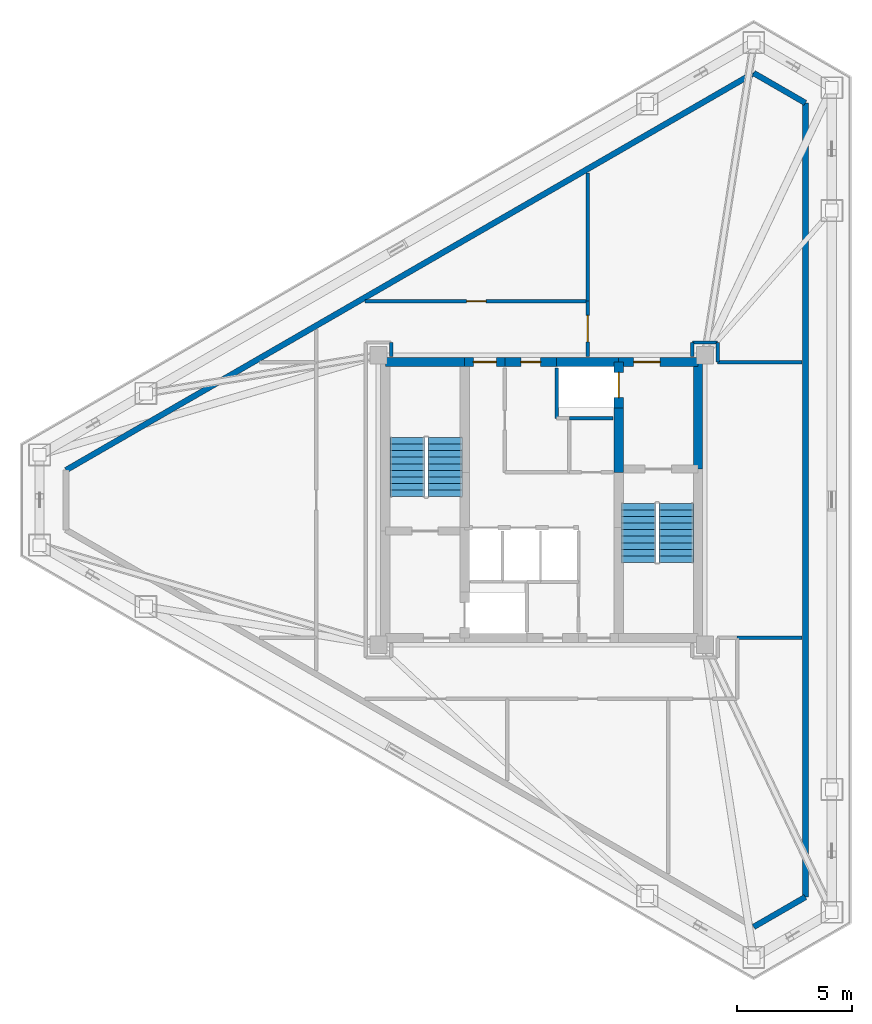
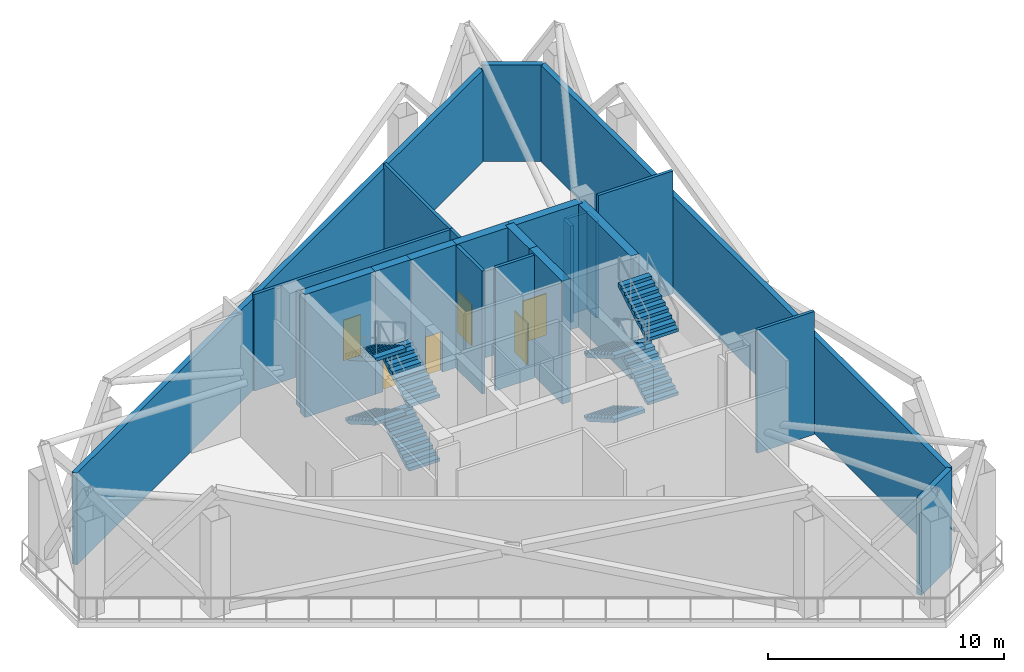
# One storey, part 4 of 6: 23 walls, 8 stair flights, 6 doors, 6 openings, 2 elements without a shape of their own.
"""IFC4 building model written with IfcOpenShell, lengths in metres."""

from ifc_helpers import new_model, si_unit, direction, frame, frame_2d, origin, place, context, subcontext, project, spatial, polyline, rectangle, outline, extrude, material, layer, layer_set, type_object, element, fill, aggregate, save


model = new_model("IFC4")

# Units and contexts
model_context = context("Model", 3, precision=1e-05, world=origin(), true_north=direction((0.0, 1.0)))
body_context = subcontext(model_context, "Body", "Model", "MODEL_VIEW")
ifc_project = project(units=[si_unit("LENGTHUNIT", "METRE"), si_unit("AREAUNIT", "SQUARE_METRE"), si_unit("VOLUMEUNIT", "CUBIC_METRE"), si_unit("PLANEANGLEUNIT", "RADIAN"), si_unit("MASSUNIT", "GRAM", prefix="KILO")], contexts=[model_context])

# Site, building, storey
site_placement = place(None, origin())
site = spatial("IfcSite", under=ifc_project, at=site_placement, CompositionType="ELEMENT")
building_placement = place(site_placement, origin())
building = spatial("IfcBuilding", under=site, at=building_placement, Name="Mersakhor Tower and Convention Hall", CompositionType="ELEMENT")
storey_placement = place(building_placement, frame((0.0, 0.0, 160.800048828125)))
storey = spatial("IfcBuildingStorey", under=building, at=storey_placement, Name="L45", CompositionType="ELEMENT", Elevation=160.800048828125)

# Walls
ifc_material_1 = material(Name="Precast concrete C40/50", Category="concrete")
ifc_layer_1 = layer(ifc_material_1, 0.25)
ifc_layer_set_1 = layer_set([ifc_layer_1], Name="Precast concrete C40/50")
wall_type_1 = type_object("IfcWallType", Name="WL-EXT-250", PredefinedType="SOLIDWALL", material=ifc_layer_set_1)
wall_1_placement = place(storey_placement, frame((8.310302734375, 28.04833984375, 0.0), z_axis=(0.0, 0.0, 1.0), x_axis=(0.866026432802, 0.499998217685, 0.0)))
element("IfcWall", 1, at=wall_1_placement, inside=storey, type_object=wall_type_1, Name="L45 Set-Back Refuge and Plant Enclosure Wall 1", PredefinedType="SOLIDWALL", context=body_context, shape_type="SweptSolid", body=[
    extrude(rectangle(XDim=34.537353515625, YDim=0.25, at=frame_2d((17.2685546875, 0.0))), origin(), (0.0, 0.0, 1.0), 4.7548828125),
])
wall_2_placement = place(storey_placement, frame((38.220458984375, 45.31689453125, 0.0), z_axis=(0.0, 0.0, 1.0), x_axis=(0.866024317969, -0.500001880682, 0.0)))
element("IfcWall", 2, at=wall_2_placement, inside=storey, type_object=wall_type_1, Name="L45 Set-Back Refuge and Plant Enclosure Wall 2", PredefinedType="SOLIDWALL", context=body_context, shape_type="SweptSolid", body=[
    extrude(rectangle(XDim=2.5966796875, YDim=0.25, at=frame_2d((1.29833984375, 0.0))), origin(), (0.0, 0.0, 1.0), 5.0048828125),
])
wall_3_placement = place(storey_placement, frame((40.46923828125, 44.0185546875, 0.0), z_axis=(0.0, 0.0, 1.0), x_axis=(0.0, -1.0, 0.0)))
element("IfcWall", 3, at=wall_3_placement, inside=storey, type_object=wall_type_1, Name="L45 Set-Back Refuge and Plant Enclosure Wall 3", PredefinedType="SOLIDWALL", context=body_context, shape_type="SweptSolid", body=[
    extrude(rectangle(XDim=34.537109375, YDim=0.25, at=frame_2d((17.2685546875, 0.0))), origin(), (0.0, 0.0, 1.0), 5.0048828125),
])
wall_4_placement = place(storey_placement, frame((40.46923828125, 9.4814453125, 0.0), z_axis=(0.0, 0.0, 1.0), x_axis=(-0.866024317969, -0.500001880682, 0.0)))
element("IfcWall", 4, at=wall_4_placement, inside=storey, type_object=wall_type_1, Name="L45 Set-Back Refuge and Plant Enclosure Wall 4", PredefinedType="SOLIDWALL", context=body_context, shape_type="SweptSolid", body=[
    extrude(rectangle(XDim=2.5966796875, YDim=0.25, at=frame_2d((1.29833984375, 0.0))), origin(), (0.0, 0.0, 1.0), 5.0048828125),
])
ifc_material_2 = material(Name="Fire-rated gypsum board stud partition", Category="other")
ifc_layer_2 = layer(ifc_material_2, 0.14990234375)
ifc_layer_set_2 = layer_set([ifc_layer_2], Name="Fire-rated gypsum board stud partition")
wall_type_2 = type_object("IfcWallType", Name="WL-PRT-150", PredefinedType="PARTITIONING", material=ifc_layer_set_2)
wall_5_placement = place(storey_placement, frame((32.10009765625, 30.300048828125, 0.0), z_axis=(0.0, 0.0, 1.0), x_axis=(-1.0, 0.0, 0.0)))
element("IfcWall", 5, at=wall_5_placement, inside=storey, type_object=wall_type_2, Name="L45 Interior Partition Wall P-004", PredefinedType="PARTITIONING", context=body_context, shape_type="SweptSolid", body=[
    extrude(rectangle(XDim=1.900146484375, YDim=0.14990234375, at=frame_2d((0.9501953125, 0.0))), origin(), (0.0, 0.0, 1.0), 6.369873046875),
])
wall_6_placement = place(storey_placement, frame((29.64990234375, 30.300048828125, 0.0), z_axis=(0.0, 0.0, 1.0), x_axis=(0.0, 1.0, 0.0)))
element("IfcWall", 6, at=wall_6_placement, inside=storey, type_object=wall_type_2, Name="L45 Interior Partition Wall P-006", PredefinedType="PARTITIONING", context=body_context, shape_type="SweptSolid", body=[
    extrude(rectangle(XDim=2.199951171875, YDim=0.14990234375, at=frame_2d((1.10009765625, 0.0))), origin(), (0.0, 0.0, 1.0), 6.369873046875),
])

# Wall, opening, door
wall_7_placement = place(storey_placement, frame((21.314697265625, 35.39990234375, 0.0), z_axis=(0.0, 0.0, 1.0), x_axis=(1.0, 0.0, 0.0)))
wall_7 = element("IfcWall", 7, at=wall_7_placement, inside=storey, type_object=wall_type_2, Name="L45 Interior Partition Wall P-016", PredefinedType="PARTITIONING", context=body_context, shape_type="SweptSolid", body=[
    extrude(rectangle(XDim=9.685302734375, YDim=0.14990234375, at=frame_2d((4.8427734375, 0.0))), origin(), (0.0, 0.0, 1.0), 5.0048828125),
])
opening_1_placement = place(wall_7_placement, frame((4.41748046875, 0.0, 0.0)))
opening_1 = element("IfcOpeningElement", 8, at=opening_1_placement, cuts=wall_7, Name="Opening SVD-01", PredefinedType="OPENING", context=body_context, shape_type="SweptSolid", body=[
    extrude(rectangle(XDim=0.85009765625, YDim=2.10009765625, at=frame_2d((0.425048828125, 1.050048828125))), frame((0.0, 0.0849609375, 0.0), z_axis=(0.0, -1.0, 0.0), x_axis=(1.0, 0.0, 0.0)), (0.0, 0.0, 1.0), 0.169921875),
])
ifc_material_3 = material(Name="Fire-rated hardwood leaf and painted steel frame", Category="steel")
door_type_1 = type_object("IfcDoorType", Name="DR-INT-SVC-085x210", OperationType="NOTDEFINED", PredefinedType="DOOR", material=ifc_material_3)
door_1_placement = place(opening_1_placement, origin())
door_1 = element("IfcDoor", 9, at=door_1_placement, inside=storey, type_object=door_type_1, Name="L45 L45 Mechanical Plant and Refuge Corridor to Zone Air Handling Unit Plant Room Door", OperationType="SINGLE_SWING_LEFT", OverallHeight=2.10009765625, OverallWidth=0.85009765625, PredefinedType="DOOR", context=body_context, shape_type="SweptSolid", body=[
    extrude(rectangle(XDim=0.85009765625, YDim=2.10009765625, at=frame_2d((0.425048828125, 1.050048828125))), frame((0.0, 0.02490234375, 0.0), z_axis=(0.0, -1.0, 0.0), x_axis=(1.0, 0.0, 0.0)), (0.0, 0.0, 1.0), 0.050048828125),
])
fill(opening_1, door_1)

wall_8_placement = place(storey_placement, frame((31.0, 35.39990234375, 0.0), z_axis=(0.0, 0.0, 1.0), x_axis=(0.0, -1.0, 0.0)))
wall_8 = element("IfcWall", 10, at=wall_8_placement, inside=storey, type_object=wall_type_2, Name="L45 Interior Partition Wall P-017", PredefinedType="PARTITIONING", context=body_context, shape_type="SweptSolid", body=[
    extrude(rectangle(XDim=2.39990234375, YDim=0.14990234375, at=frame_2d((1.199951171875, 0.0))), origin(), (0.0, 0.0, 1.0), 5.0048828125),
])
opening_2_placement = place(wall_8_placement, frame((0.625, 0.0, 0.0)))
opening_2 = element("IfcOpeningElement", 11, at=opening_2_placement, cuts=wall_8, Name="Opening SD-01", PredefinedType="OPENING", context=body_context, shape_type="SweptSolid", body=[
    extrude(rectangle(XDim=1.14990234375, YDim=2.14990234375, at=frame_2d((0.574951171875, 1.074951171875))), frame((0.0, 0.0849609375, 0.0), z_axis=(0.0, -1.0, 0.0), x_axis=(1.0, 0.0, 0.0)), (0.0, 0.0, 1.0), 0.169921875),
])
ifc_material_4 = material(Name="Fire-rated hardwood leaf and painted steel frame", Category="steel")
door_type_2 = type_object("IfcDoorType", Name="DR-INT-STAIR-115x215", OperationType="NOTDEFINED", PredefinedType="DOOR", material=ifc_material_4)
door_2_placement = place(opening_2_placement, origin())
door_2 = element("IfcDoor", 12, at=door_2_placement, inside=storey, type_object=door_type_2, Name="L45 L45 Mechanical Plant and Refuge Corridor to Pressurised Fire Refuge Area North Door", OperationType="SINGLE_SWING_RIGHT", OverallHeight=2.14990234375, OverallWidth=1.14990234375, PredefinedType="DOOR", context=body_context, shape_type="SweptSolid", body=[
    extrude(rectangle(XDim=1.14990234375, YDim=2.14990234375, at=frame_2d((0.574951171875, 1.074951171875))), frame((0.0, 0.02490234375, 0.0), z_axis=(0.0, -1.0, 0.0), x_axis=(1.0, 0.0, 0.0)), (0.0, 0.0, 1.0), 0.050048828125),
])
fill(opening_2, door_2)

# Walls
wall_9_placement = place(storey_placement, frame((22.449951171875, 33.0, 0.0), z_axis=(0.0, 0.0, 1.0), x_axis=(0.0, 1.0, 0.0)))
element("IfcWall", 13, at=wall_9_placement, inside=storey, type_object=wall_type_2, Name="L45 Interior Partition Wall P-018", PredefinedType="PARTITIONING", context=body_context, shape_type="SweptSolid", body=[
    extrude(rectangle(XDim=0.60009765625, YDim=0.14990234375, at=frame_2d((0.300048828125, 0.0))), origin(), (0.0, 0.0, 1.0), 5.89501953125),
])
wall_10_placement = place(storey_placement, frame((36.64990234375, 32.75, 0.0), z_axis=(0.0, 0.0, 1.0), x_axis=(0.0, 1.0, 0.0)))
element("IfcWall", 14, at=wall_10_placement, inside=storey, type_object=wall_type_2, Name="L45 Interior Partition Wall P-035", PredefinedType="PARTITIONING", context=body_context, shape_type="SweptSolid", body=[
    extrude(rectangle(XDim=0.85009765625, YDim=0.14990234375, at=frame_2d((0.425048828125, 0.0))), origin(), (0.0, 0.0, 1.0), 5.0048828125),
])
wall_11_placement = place(storey_placement, frame((36.64990234375, 33.60009765625, 0.0), z_axis=(0.0, 0.0, 1.0), x_axis=(-1.0, 0.0, 0.0)))
element("IfcWall", 15, at=wall_11_placement, inside=storey, type_object=wall_type_2, Name="L45 Interior Partition Wall P-036", PredefinedType="PARTITIONING", context=body_context, shape_type="SweptSolid", body=[
    extrude(rectangle(XDim=1.099853515625, YDim=0.14990234375, at=frame_2d((0.5498046875, 0.0))), origin(), (0.0, 0.0, 1.0), 5.0048828125),
])
wall_12_placement = place(storey_placement, frame((35.550048828125, 33.60009765625, 0.0), z_axis=(0.0, 0.0, 1.0), x_axis=(0.0, -1.0, 0.0)))
element("IfcWall", 16, at=wall_12_placement, inside=storey, type_object=wall_type_2, Name="L45 Interior Partition Wall P-037", PredefinedType="PARTITIONING", context=body_context, shape_type="SweptSolid", body=[
    extrude(rectangle(XDim=0.60009765625, YDim=0.14990234375, at=frame_2d((0.300048828125, 0.0))), origin(), (0.0, 0.0, 1.0), 5.0048828125),
])
wall_13_placement = place(storey_placement, frame((31.0, 35.39990234375, 0.0), z_axis=(0.0, 0.0, 1.0), x_axis=(0.0, 1.0, 0.0)))
element("IfcWall", 17, at=wall_13_placement, inside=storey, type_object=wall_type_2, Name="L45 Interior Partition Wall P-038", PredefinedType="PARTITIONING", context=body_context, shape_type="SweptSolid", body=[
    extrude(rectangle(XDim=5.576171875, YDim=0.14990234375, at=frame_2d((2.7880859375, 0.0))), origin(), (0.0, 0.0, 1.0), 5.0048828125),
])
wall_14_placement = place(storey_placement, frame((40.3203125, 32.75, 0.0), z_axis=(0.0, 0.0, 1.0), x_axis=(-1.0, 0.0, 0.0)))
element("IfcWall", 18, at=wall_14_placement, inside=storey, type_object=wall_type_2, Name="L45 Interior Partition Wall P-039", PredefinedType="PARTITIONING", context=body_context, shape_type="SweptSolid", body=[
    extrude(rectangle(XDim=3.67041015625, YDim=0.14990234375, at=frame_2d((1.835205078125, 0.0))), origin(), (0.0, 0.0, 1.0), 6.369873046875),
])
wall_15_placement = place(storey_placement, frame((37.5, 20.75, 0.0), z_axis=(0.0, 0.0, 1.0), x_axis=(1.0, 0.0, 0.0)))
element("IfcWall", 19, at=wall_15_placement, inside=storey, type_object=wall_type_2, Name="L45 Interior Partition Wall P-044", PredefinedType="PARTITIONING", context=body_context, shape_type="SweptSolid", body=[
    extrude(rectangle(XDim=2.8203125, YDim=0.14990234375, at=frame_2d((1.41015625, 0.0))), origin(), (0.0, 0.0, 1.0), 6.369873046875),
])
ifc_material_5 = material(Name="Concrete C60/75", Category="concrete")
ifc_layer_3 = layer(ifc_material_5, 0.39990234375)
ifc_layer_set_3 = layer_set([ifc_layer_3], Name="Concrete C60/75")
wall_type_3 = type_object("IfcWallType", Name="WL-SHR-400", PredefinedType="SHEAR", material=ifc_layer_set_3)
wall_16_placement = place(storey_placement, frame((22.199951171875, 32.75, 0.0), z_axis=(0.0, 0.0, 1.0), x_axis=(1.0, 0.0, 0.0)))
element("IfcWall", 20, at=wall_16_placement, inside=storey, type_object=wall_type_3, Name="L45 Core Wall CW-N1", PredefinedType="SHEAR", context=body_context, shape_type="SweptSolid", body=[
    extrude(rectangle(XDim=3.449951171875, YDim=0.39990234375, at=frame_2d((1.72509765625, 0.0))), origin(), (0.0, 0.0, 1.0), 6.369873046875),
])

# Wall, opening, door
wall_17_placement = place(storey_placement, frame((25.64990234375, 32.75, 0.0), z_axis=(0.0, 0.0, 1.0), x_axis=(1.0, 0.0, 0.0)))
wall_17 = element("IfcWall", 21, at=wall_17_placement, inside=storey, type_object=wall_type_3, Name="L45 Core Wall CW-N2A", PredefinedType="SHEAR", context=body_context, shape_type="SweptSolid", body=[
    extrude(rectangle(XDim=1.75, YDim=0.39990234375, at=frame_2d((0.875, 0.0))), origin(), (0.0, 0.0, 1.0), 6.369873046875),
])
opening_3_placement = place(wall_17_placement, frame((0.375, 0.0, 0.0)))
opening_3 = element("IfcOpeningElement", 22, at=opening_3_placement, cuts=wall_17, Name="Opening CFD-01", PredefinedType="OPENING", context=body_context, shape_type="SweptSolid", body=[
    extrude(rectangle(XDim=1.0, YDim=2.14990234375, at=frame_2d((0.5, 1.074951171875))), frame((0.0, 0.2099609375, 0.0), z_axis=(0.0, -1.0, 0.0), x_axis=(1.0, 0.0, 0.0)), (0.0, 0.0, 1.0), 0.419921875),
])
ifc_material_6 = material(Name="Fire-rated hardwood leaf and painted steel frame", Category="steel")
door_type_3 = type_object("IfcDoorType", Name="DR-CORE-FD-100x215", OperationType="NOTDEFINED", PredefinedType="DOOR", material=ifc_material_6)
door_3_placement = place(opening_3_placement, origin())
door_3 = element("IfcDoor", 23, at=door_3_placement, inside=storey, type_object=door_type_3, Name="L45 Lift Lobby North Corridor Door", OperationType="SINGLE_SWING_LEFT", OverallHeight=2.14990234375, OverallWidth=1.0, PredefinedType="DOOR", context=body_context, shape_type="SweptSolid", body=[
    extrude(rectangle(XDim=1.0, YDim=2.14990234375, at=frame_2d((0.5, 1.074951171875))), frame((0.0, 0.02490234375, 0.0), z_axis=(0.0, -1.0, 0.0), x_axis=(1.0, 0.0, 0.0)), (0.0, 0.0, 1.0), 0.050048828125),
])
fill(opening_3, door_3)

wall_18_placement = place(storey_placement, frame((27.39990234375, 32.75, 0.0), z_axis=(0.0, 0.0, 1.0), x_axis=(1.0, 0.0, 0.0)))
wall_18 = element("IfcWall", 24, at=wall_18_placement, inside=storey, type_object=wall_type_3, Name="L45 Core Wall CW-N2B", PredefinedType="SHEAR", context=body_context, shape_type="SweptSolid", body=[
    extrude(rectangle(XDim=2.25, YDim=0.39990234375, at=frame_2d((1.125, 0.0))), origin(), (0.0, 0.0, 1.0), 6.369873046875),
])
opening_4_placement = place(wall_18_placement, frame((0.699951171875, 0.0, 0.0)))
opening_4 = element("IfcOpeningElement", 25, at=opening_4_placement, cuts=wall_18, Name="Opening SVD-01", PredefinedType="OPENING", context=body_context, shape_type="SweptSolid", body=[
    extrude(rectangle(XDim=0.85009765625, YDim=2.10009765625, at=frame_2d((0.425048828125, 1.050048828125))), frame((0.0, 0.2099609375, 0.0), z_axis=(0.0, -1.0, 0.0), x_axis=(1.0, 0.0, 0.0)), (0.0, 0.0, 1.0), 0.419921875),
])
door_4_placement = place(opening_4_placement, origin())
door_4 = element("IfcDoor", 26, at=door_4_placement, inside=storey, type_object=door_type_1, Name="L45 L45 Mechanical Plant and Refuge Corridor to Core Pressurisation Fan Plant Room Door", OperationType="SINGLE_SWING_RIGHT", OverallHeight=2.10009765625, OverallWidth=0.85009765625, PredefinedType="DOOR", context=body_context, shape_type="SweptSolid", body=[
    extrude(rectangle(XDim=0.85009765625, YDim=2.10009765625, at=frame_2d((0.425048828125, 1.050048828125))), frame((0.0, 0.02490234375, 0.0), z_axis=(0.0, -1.0, 0.0), x_axis=(1.0, 0.0, 0.0)), (0.0, 0.0, 1.0), 0.050048828125),
])
fill(opening_4, door_4)

# Wall
wall_19_placement = place(storey_placement, frame((29.64990234375, 32.75, 0.0), z_axis=(0.0, 0.0, 1.0), x_axis=(1.0, 0.0, 0.0)))
element("IfcWall", 27, at=wall_19_placement, inside=storey, type_object=wall_type_3, Name="L45 Core Wall CW-N3", PredefinedType="SHEAR", context=body_context, shape_type="SweptSolid", body=[
    extrude(rectangle(XDim=2.7001953125, YDim=0.39990234375, at=frame_2d((1.35009765625, 0.0))), origin(), (0.0, 0.0, 1.0), 6.369873046875),
])

# Wall, opening, door
wall_20_placement = place(storey_placement, frame((32.35009765625, 32.75, 0.0), z_axis=(0.0, 0.0, 1.0), x_axis=(1.0, 0.0, 0.0)))
wall_20 = element("IfcWall", 28, at=wall_20_placement, inside=storey, type_object=wall_type_3, Name="L45 Core Wall CW-N4", PredefinedType="SHEAR", context=body_context, shape_type="SweptSolid", body=[
    extrude(rectangle(XDim=3.449951171875, YDim=0.39990234375, at=frame_2d((1.72509765625, 0.0))), origin(), (0.0, 0.0, 1.0), 6.369873046875),
])
opening_5_placement = place(wall_20_placement, frame((0.64990234375, 0.0, 0.0)))
opening_5 = element("IfcOpeningElement", 29, at=opening_5_placement, cuts=wall_20, Name="Opening SD-01", PredefinedType="OPENING", context=body_context, shape_type="SweptSolid", body=[
    extrude(rectangle(XDim=1.14990234375, YDim=2.14990234375, at=frame_2d((0.574951171875, 1.074951171875))), frame((0.0, 0.2099609375, 0.0), z_axis=(0.0, -1.0, 0.0), x_axis=(1.0, 0.0, 0.0)), (0.0, 0.0, 1.0), 0.419921875),
])
door_5_placement = place(opening_5_placement, origin())
door_5 = element("IfcDoor", 30, at=door_5_placement, inside=storey, type_object=door_type_2, Name="L45 Firefighting Lobby East Fire Door", OperationType="SINGLE_SWING_RIGHT", OverallHeight=2.14990234375, OverallWidth=1.14990234375, PredefinedType="DOOR", context=body_context, shape_type="SweptSolid", body=[
    extrude(rectangle(XDim=1.14990234375, YDim=2.14990234375, at=frame_2d((0.574951171875, 1.074951171875))), frame((0.0, 0.02490234375, 0.0), z_axis=(0.0, -1.0, 0.0), x_axis=(1.0, 0.0, 0.0)), (0.0, 0.0, 1.0), 0.050048828125),
])
fill(opening_5, door_5)

# Walls
wall_21_placement = place(storey_placement, frame((35.800048828125, 32.75, 0.0), z_axis=(0.0, 0.0, 1.0), x_axis=(0.0, -1.0, 0.0)))
element("IfcWall", 31, at=wall_21_placement, inside=storey, type_object=wall_type_3, Name="L45 Core Wall CW-E1", PredefinedType="SHEAR", context=body_context, shape_type="SweptSolid", body=[
    extrude(rectangle(XDim=4.64990234375, YDim=0.39990234375, at=frame_2d((2.324951171875, 0.0))), origin(), (0.0, 0.0, 1.0), 6.369873046875),
])
wall_22_placement = place(storey_placement, frame((32.35009765625, 27.949951171875, 0.0), z_axis=(0.0, 0.0, 1.0), x_axis=(0.0, 1.0, 0.0)))
element("IfcWall", 32, at=wall_22_placement, inside=storey, type_object=wall_type_3, Name="L45 Core Wall CS-E-MID", PredefinedType="SHEAR", context=body_context, shape_type="SweptSolid", body=[
    extrude(rectangle(XDim=2.800048828125, YDim=0.39990234375, at=frame_2d((1.39990234375, 0.0))), origin(), (0.0, 0.0, 1.0), 6.369873046875),
])

# Wall, opening, door
wall_23_placement = place(storey_placement, frame((32.35009765625, 30.75, 0.0), z_axis=(0.0, 0.0, 1.0), x_axis=(0.0, 1.0, 0.0)))
wall_23 = element("IfcWall", 33, at=wall_23_placement, inside=storey, type_object=wall_type_3, Name="L45 Core Wall CS-E-FFL", PredefinedType="SHEAR", context=body_context, shape_type="SweptSolid", body=[
    extrude(rectangle(XDim=2.0, YDim=0.39990234375, at=frame_2d((1.0, 0.0))), origin(), (0.0, 0.0, 1.0), 6.369873046875),
])
opening_6_placement = place(wall_23_placement, frame((0.449951171875, 0.0, 0.0)))
opening_6 = element("IfcOpeningElement", 34, at=opening_6_placement, cuts=wall_23, Name="Opening LD-FFL2", PredefinedType="OPENING", context=body_context, shape_type="SweptSolid", body=[
    extrude(rectangle(XDim=1.10009765625, YDim=2.14990234375, at=frame_2d((0.550048828125, 1.074951171875))), frame((0.0, 0.2099609375, 0.0), z_axis=(0.0, -1.0, 0.0), x_axis=(1.0, 0.0, 0.0)), (0.0, 0.0, 1.0), 0.419921875),
])
ifc_material_7 = material(Name="Fire-rated brushed stainless steel sliding landing door", Category="steel")
door_type_4 = type_object("IfcDoorType", Name="DR-LIFT-SLD-110x215", OperationType="NOTDEFINED", PredefinedType="DOOR", material=ifc_material_7)
door_6_placement = place(opening_6_placement, origin())
door_6 = element("IfcDoor", 35, at=door_6_placement, inside=storey, type_object=door_type_4, Name="L45 Firefighting Lift Landing Door LD-FFL2", OperationType="SLIDING_TO_LEFT", OverallHeight=2.14990234375, OverallWidth=1.10009765625, PredefinedType="DOOR", context=body_context, shape_type="SweptSolid", body=[
    extrude(rectangle(XDim=1.10009765625, YDim=2.14990234375, at=frame_2d((0.550048828125, 1.074951171875))), frame((0.0, 0.02490234375, 0.0), z_axis=(0.0, -1.0, 0.0), x_axis=(1.0, 0.0, 0.0)), (0.0, 0.0, 1.0), 0.050048828125),
])
fill(opening_6, door_6)

# Stair, stair flights
ifc_material_8 = material(Name="Concrete C45/55", Category="concrete")
stair_type = type_object("IfcStairType", Name="ST-TWR-40R", PredefinedType="HALF_TURN_STAIR", material=ifc_material_8)
stair_1_placement = place(storey_placement, origin())
stair_1 = element("IfcStair", 36, at=stair_1_placement, inside=storey, type_object=stair_type, Name="L45 Tower Protected Exit Stair ST-1", PredefinedType="HALF_TURN_STAIR")
ifc_material_9 = material(Name="Concrete C45/55", Category="concrete")
stair_flight_type = type_object("IfcStairFlightType", Name="SFL-TWR-40R", PredefinedType="STRAIGHT", material=ifc_material_9)
stair_flight_1_placement = place(storey_placement, frame((24.800048828125, 26.89990234375, 0.0), z_axis=(0.0, 0.0, 1.0), x_axis=(0.0, 1.0, 0.0)))
stair_flight_1 = element("IfcStairFlight", 37, at=stair_flight_1_placement, type_object=stair_flight_type, Name="ST-1 flight 1", NumberOfRisers=10, NumberOfTreads=9, PredefinedType="STRAIGHT", RiserHeight=0.165, TreadLength=0.285, context=body_context, shape_type="SweptSolid", body=[
    extrude(outline(polyline([(0.0, 0.0), (0.0, 0.1650390625), (0.284912109375, 0.1650390625), (0.284912109375, 0.330078125), (0.570068359375, 0.330078125), (0.570068359375, 0.4951171875), (0.85498046875, 0.4951171875), (0.85498046875, 0.659912109375), (1.139892578125, 0.659912109375), (1.139892578125, 0.824951171875), (1.425048828125, 0.824951171875), (1.425048828125, 0.989990234375), (1.7099609375, 0.989990234375), (1.7099609375, 1.155029296875), (1.9951171875, 1.155029296875), (1.9951171875, 1.320068359375), (2.280029296875, 1.320068359375), (2.280029296875, 1.485107421875), (2.56494140625, 1.485107421875), (2.56494140625, 1.64990234375), (2.56494140625, 1.311767578125), (0.299072265625, 0.0), (0.0, 0.0)])), frame((0.0, 0.75, 0.0), z_axis=(0.0, -1.0, 0.0), x_axis=(1.0, 0.0, 0.0)), (0.0, 0.0, 1.0), 1.5),
])
stair_flight_2_placement = place(storey_placement, frame((23.14990234375, 29.465087890625, 1.64990234375), z_axis=(0.0, 0.0, 1.0), x_axis=(0.0, -1.0, 0.0)))
stair_flight_2 = element("IfcStairFlight", 38, at=stair_flight_2_placement, type_object=stair_flight_type, Name="ST-1 flight 2", NumberOfRisers=10, NumberOfTreads=9, PredefinedType="STRAIGHT", RiserHeight=0.165, TreadLength=0.285, context=body_context, shape_type="SweptSolid", body=[
    extrude(outline(polyline([(0.0, 0.0), (0.0, 0.1650390625), (0.284912109375, 0.1650390625), (0.284912109375, 0.330078125), (0.570068359375, 0.330078125), (0.570068359375, 0.4951171875), (0.85498046875, 0.4951171875), (0.85498046875, 0.659912109375), (1.139892578125, 0.659912109375), (1.139892578125, 0.824951171875), (1.425048828125, 0.824951171875), (1.425048828125, 0.989990234375), (1.7099609375, 0.989990234375), (1.7099609375, 1.155029296875), (1.9951171875, 1.155029296875), (1.9951171875, 1.320068359375), (2.280029296875, 1.320068359375), (2.280029296875, 1.485107421875), (2.56494140625, 1.485107421875), (2.56494140625, 1.64990234375), (2.56494140625, 1.311767578125), (0.299072265625, 0.0), (0.0, 0.0)])), frame((0.0, 0.75, 0.0), z_axis=(0.0, -1.0, 0.0), x_axis=(1.0, 0.0, 0.0)), (0.0, 0.0, 1.0), 1.5),
])
stair_flight_3_placement = place(storey_placement, frame((24.800048828125, 26.89990234375, 3.300048828125), z_axis=(0.0, 0.0, 1.0), x_axis=(0.0, 1.0, 0.0)))
stair_flight_3 = element("IfcStairFlight", 39, at=stair_flight_3_placement, type_object=stair_flight_type, Name="ST-1 flight 3", NumberOfRisers=10, NumberOfTreads=9, PredefinedType="STRAIGHT", RiserHeight=0.165, TreadLength=0.285, context=body_context, shape_type="SweptSolid", body=[
    extrude(outline(polyline([(0.0, 0.0), (0.0, 0.1650390625), (0.284912109375, 0.1650390625), (0.284912109375, 0.330078125), (0.570068359375, 0.330078125), (0.570068359375, 0.4951171875), (0.85498046875, 0.4951171875), (0.85498046875, 0.659912109375), (1.139892578125, 0.659912109375), (1.139892578125, 0.824951171875), (1.425048828125, 0.824951171875), (1.425048828125, 0.989990234375), (1.7099609375, 0.989990234375), (1.7099609375, 1.155029296875), (1.9951171875, 1.155029296875), (1.9951171875, 1.320068359375), (2.280029296875, 1.320068359375), (2.280029296875, 1.485107421875), (2.56494140625, 1.485107421875), (2.56494140625, 1.64990234375), (2.56494140625, 1.311767578125), (0.299072265625, 0.0), (0.0, 0.0)])), frame((0.0, 0.75, 0.0), z_axis=(0.0, -1.0, 0.0), x_axis=(1.0, 0.0, 0.0)), (0.0, 0.0, 1.0), 1.5),
])
stair_flight_4_placement = place(storey_placement, frame((23.14990234375, 29.465087890625, 4.949951171875), z_axis=(0.0, 0.0, 1.0), x_axis=(0.0, -1.0, 0.0)))
stair_flight_4 = element("IfcStairFlight", 40, at=stair_flight_4_placement, type_object=stair_flight_type, Name="ST-1 flight 4", NumberOfRisers=10, NumberOfTreads=9, PredefinedType="STRAIGHT", RiserHeight=0.165, TreadLength=0.285, context=body_context, shape_type="SweptSolid", body=[
    extrude(outline(polyline([(0.0, 0.0), (0.0, 0.1650390625), (0.284912109375, 0.1650390625), (0.284912109375, 0.330078125), (0.570068359375, 0.330078125), (0.570068359375, 0.4951171875), (0.85498046875, 0.4951171875), (0.85498046875, 0.659912109375), (1.139892578125, 0.659912109375), (1.139892578125, 0.824951171875), (1.425048828125, 0.824951171875), (1.425048828125, 0.989990234375), (1.7099609375, 0.989990234375), (1.7099609375, 1.155029296875), (1.9951171875, 1.155029296875), (1.9951171875, 1.320068359375), (2.280029296875, 1.320068359375), (2.280029296875, 1.485107421875), (2.56494140625, 1.485107421875), (2.56494140625, 1.64990234375), (2.56494140625, 1.311767578125), (0.299072265625, 0.0), (0.0, 0.0)])), frame((0.0, 0.75, 0.0), z_axis=(0.0, -1.0, 0.0), x_axis=(1.0, 0.0, 0.0)), (0.0, 0.0, 1.0), 1.5),
])
aggregate(stair_1, [stair_flight_1, stair_flight_2, stair_flight_3, stair_flight_4])

stair_2_placement = place(storey_placement, origin())
stair_2 = element("IfcStair", 41, at=stair_2_placement, inside=storey, type_object=stair_type, Name="L45 Tower Protected Exit Stair ST-2", PredefinedType="HALF_TURN_STAIR")
stair_flight_5_placement = place(storey_placement, frame((33.199951171875, 26.60009765625, 0.0), z_axis=(0.0, 0.0, 1.0), x_axis=(0.0, -1.0, 0.0)))
stair_flight_5 = element("IfcStairFlight", 42, at=stair_flight_5_placement, type_object=stair_flight_type, Name="ST-2 flight 1", NumberOfRisers=10, NumberOfTreads=9, PredefinedType="STRAIGHT", RiserHeight=0.165, TreadLength=0.285, context=body_context, shape_type="SweptSolid", body=[
    extrude(outline(polyline([(0.0, 0.0), (0.0, 0.1650390625), (0.284912109375, 0.1650390625), (0.284912109375, 0.330078125), (0.570068359375, 0.330078125), (0.570068359375, 0.4951171875), (0.85498046875, 0.4951171875), (0.85498046875, 0.659912109375), (1.139892578125, 0.659912109375), (1.139892578125, 0.824951171875), (1.425048828125, 0.824951171875), (1.425048828125, 0.989990234375), (1.7099609375, 0.989990234375), (1.7099609375, 1.155029296875), (1.9951171875, 1.155029296875), (1.9951171875, 1.320068359375), (2.280029296875, 1.320068359375), (2.280029296875, 1.485107421875), (2.56494140625, 1.485107421875), (2.56494140625, 1.64990234375), (2.56494140625, 1.311767578125), (0.299072265625, 0.0), (0.0, 0.0)])), frame((0.0, 0.75, 0.0), z_axis=(0.0, -1.0, 0.0), x_axis=(1.0, 0.0, 0.0)), (0.0, 0.0, 1.0), 1.5),
])
stair_flight_6_placement = place(storey_placement, frame((34.85009765625, 24.034912109375, 1.64990234375), z_axis=(0.0, 0.0, 1.0), x_axis=(0.0, 1.0, 0.0)))
stair_flight_6 = element("IfcStairFlight", 43, at=stair_flight_6_placement, type_object=stair_flight_type, Name="ST-2 flight 2", NumberOfRisers=10, NumberOfTreads=9, PredefinedType="STRAIGHT", RiserHeight=0.165, TreadLength=0.285, context=body_context, shape_type="SweptSolid", body=[
    extrude(outline(polyline([(0.0, 0.0), (0.0, 0.1650390625), (0.284912109375, 0.1650390625), (0.284912109375, 0.330078125), (0.570068359375, 0.330078125), (0.570068359375, 0.4951171875), (0.85498046875, 0.4951171875), (0.85498046875, 0.659912109375), (1.139892578125, 0.659912109375), (1.139892578125, 0.824951171875), (1.425048828125, 0.824951171875), (1.425048828125, 0.989990234375), (1.7099609375, 0.989990234375), (1.7099609375, 1.155029296875), (1.9951171875, 1.155029296875), (1.9951171875, 1.320068359375), (2.280029296875, 1.320068359375), (2.280029296875, 1.485107421875), (2.56494140625, 1.485107421875), (2.56494140625, 1.64990234375), (2.56494140625, 1.311767578125), (0.299072265625, 0.0), (0.0, 0.0)])), frame((0.0, 0.75, 0.0), z_axis=(0.0, -1.0, 0.0), x_axis=(1.0, 0.0, 0.0)), (0.0, 0.0, 1.0), 1.5),
])
stair_flight_7_placement = place(storey_placement, frame((33.199951171875, 26.60009765625, 3.300048828125), z_axis=(0.0, 0.0, 1.0), x_axis=(0.0, -1.0, 0.0)))
stair_flight_7 = element("IfcStairFlight", 44, at=stair_flight_7_placement, type_object=stair_flight_type, Name="ST-2 flight 3", NumberOfRisers=10, NumberOfTreads=9, PredefinedType="STRAIGHT", RiserHeight=0.165, TreadLength=0.285, context=body_context, shape_type="SweptSolid", body=[
    extrude(outline(polyline([(0.0, 0.0), (0.0, 0.1650390625), (0.284912109375, 0.1650390625), (0.284912109375, 0.330078125), (0.570068359375, 0.330078125), (0.570068359375, 0.4951171875), (0.85498046875, 0.4951171875), (0.85498046875, 0.659912109375), (1.139892578125, 0.659912109375), (1.139892578125, 0.824951171875), (1.425048828125, 0.824951171875), (1.425048828125, 0.989990234375), (1.7099609375, 0.989990234375), (1.7099609375, 1.155029296875), (1.9951171875, 1.155029296875), (1.9951171875, 1.320068359375), (2.280029296875, 1.320068359375), (2.280029296875, 1.485107421875), (2.56494140625, 1.485107421875), (2.56494140625, 1.64990234375), (2.56494140625, 1.311767578125), (0.299072265625, 0.0), (0.0, 0.0)])), frame((0.0, 0.75, 0.0), z_axis=(0.0, -1.0, 0.0), x_axis=(1.0, 0.0, 0.0)), (0.0, 0.0, 1.0), 1.5),
])
stair_flight_8_placement = place(storey_placement, frame((34.85009765625, 24.034912109375, 4.949951171875), z_axis=(0.0, 0.0, 1.0), x_axis=(0.0, 1.0, 0.0)))
stair_flight_8 = element("IfcStairFlight", 45, at=stair_flight_8_placement, type_object=stair_flight_type, Name="ST-2 flight 4", NumberOfRisers=10, NumberOfTreads=9, PredefinedType="STRAIGHT", RiserHeight=0.165, TreadLength=0.285, context=body_context, shape_type="SweptSolid", body=[
    extrude(outline(polyline([(0.0, 0.0), (0.0, 0.1650390625), (0.284912109375, 0.1650390625), (0.284912109375, 0.330078125), (0.570068359375, 0.330078125), (0.570068359375, 0.4951171875), (0.85498046875, 0.4951171875), (0.85498046875, 0.659912109375), (1.139892578125, 0.659912109375), (1.139892578125, 0.824951171875), (1.425048828125, 0.824951171875), (1.425048828125, 0.989990234375), (1.7099609375, 0.989990234375), (1.7099609375, 1.155029296875), (1.9951171875, 1.155029296875), (1.9951171875, 1.320068359375), (2.280029296875, 1.320068359375), (2.280029296875, 1.485107421875), (2.56494140625, 1.485107421875), (2.56494140625, 1.64990234375), (2.56494140625, 1.311767578125), (0.299072265625, 0.0), (0.0, 0.0)])), frame((0.0, 0.75, 0.0), z_axis=(0.0, -1.0, 0.0), x_axis=(1.0, 0.0, 0.0)), (0.0, 0.0, 1.0), 1.5),
])
aggregate(stair_2, [stair_flight_5, stair_flight_6, stair_flight_7, stair_flight_8])

save(model, "model.ifc")
